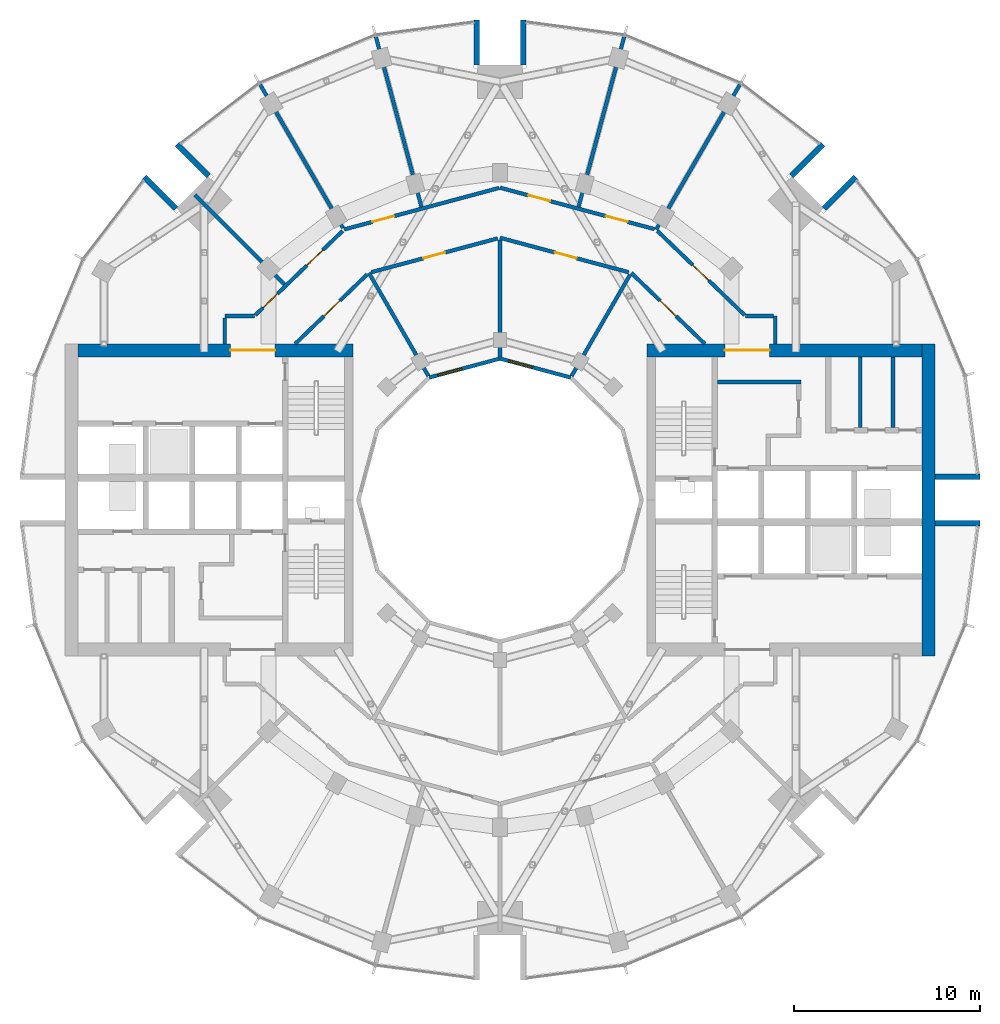
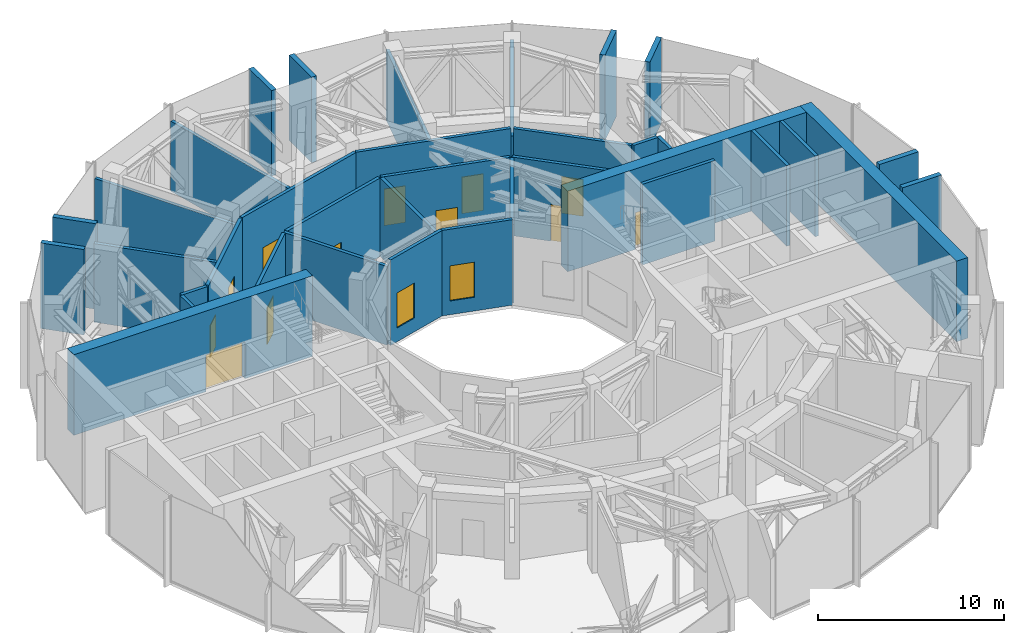
# One storey, part 15 of 18: 36 walls, 12 doors, 2 windows, 14 openings.
"""IFC4 building model written with IfcOpenShell, lengths in metres."""

import ifcopenshell
import ifcopenshell.guid

model = None  # the IFC model being written
_history = None  # IfcOwnerHistory: only IFC2X3 demands one
_inside = {}  # id of a spatial element -> (the spatial element, [elements in it])
_under = {}  # id of a project, library or spatial element -> (it, [spatial elements below it])
_declared = {}  # id of a project -> (the project, [libraries it declares])
_typed = {}  # id of a type object -> (the type object, [elements of that type])
_made_of = {}  # id of a material, layer set ... -> (it, [elements and type objects made of it])


def new_model(schema):
    """Start an empty IFC model of exactly this schema.

    Asked for "IFC4X3", IfcOpenShell would pick the latest addendum, in which some entities
    have other attributes; the version numbers below select the first issue.
    IFC2X3 requires an IfcOwnerHistory on every rooted entity: one is made here for all.
    """
    global model, _history
    if schema == "IFC4X3":
        model = ifcopenshell.file(schema_version=(4, 3, 0, 0))
    else:
        model = ifcopenshell.file(schema=schema)
    _inside.clear()
    _under.clear()
    _declared.clear()
    _typed.clear()
    _made_of.clear()
    _history = None
    if model.schema == "IFC2X3":
        org = make("IfcOrganization", Name="unknown")
        user = make(
            "IfcPersonAndOrganization",
            ThePerson=make("IfcPerson", FamilyName="unknown"),
            TheOrganization=org,
        )
        app = make(
            "IfcApplication",
            ApplicationDeveloper=org,
            Version="unknown",
            ApplicationFullName="unknown",
            ApplicationIdentifier="unknown",
        )
        _history = make(
            "IfcOwnerHistory",
            OwningUser=user,
            OwningApplication=app,
            ChangeAction="ADDED",
            CreationDate=0,
        )
    return model


def make(cls, **values):
    """One entity of the class cls with the attributes given. An attribute that is None is left unset."""
    return model.create_entity(
        cls, **{name: value for name, value in values.items() if value is not None}
    )


def rooted(cls, **values):
    """An entity with a GlobalId (a new one), such as an element, a storey or a relation."""
    return make(cls, GlobalId=ifcopenshell.guid.new(), OwnerHistory=_history, **values)


def si_unit(unit_type, name, prefix=None):
    """IfcSIUnit, for example si_unit("LENGTHUNIT", "METRE", prefix="MILLI")."""
    return make("IfcSIUnit", UnitType=unit_type, Prefix=prefix, Name=name)


def assignment(units):
    """IfcUnitAssignment: the units of a project."""
    return None if units is None else make("IfcUnitAssignment", Units=units)


def point(xyz):
    """IfcCartesianPoint."""
    return None if xyz is None else make("IfcCartesianPoint", Coordinates=xyz)


def direction(xyz):
    """IfcDirection."""
    return None if xyz is None else make("IfcDirection", DirectionRatios=xyz)


def frame(location, z_axis=None, x_axis=None):
    """IfcAxis2Placement3D, a coordinate frame: its origin and axes. An axis left out is left unset."""
    return make(
        "IfcAxis2Placement3D",
        Location=point(location),
        Axis=direction(z_axis),
        RefDirection=direction(x_axis),
    )


def frame_2d(location, x_axis=None):
    """IfcAxis2Placement2D, a coordinate frame in the plane: its origin and x axis."""
    return make(
        "IfcAxis2Placement2D", Location=point(location), RefDirection=direction(x_axis)
    )


def origin():
    """The frame at (0, 0, 0) with its axes left unset."""
    return frame((0.0, 0.0, 0.0))


def place(relative_to, where):
    """IfcLocalPlacement: puts the frame where relative to a parent placement (None: the world)."""
    return make(
        "IfcLocalPlacement", PlacementRelTo=relative_to, RelativePlacement=where
    )


def context(
    kind, dimensions, precision=None, world=None, true_north=None, identifier=None
):
    """IfcGeometricRepresentationContext, for example the 3D "Model" context."""
    return make(
        "IfcGeometricRepresentationContext",
        ContextIdentifier=identifier,
        ContextType=kind,
        CoordinateSpaceDimension=dimensions,
        Precision=precision,
        WorldCoordinateSystem=world,
        TrueNorth=true_north,
    )


def subcontext(parent, identifier, kind, view, scale=None):
    """IfcGeometricRepresentationSubContext, for example "Body" below "Model"."""
    return make(
        "IfcGeometricRepresentationSubContext",
        ContextIdentifier=identifier,
        ContextType=kind,
        ParentContext=parent,
        TargetScale=scale,
        TargetView=view,
    )


def project(units=None, contexts=None):
    """IfcProject with its units and contexts."""
    return rooted(
        "IfcProject",
        Name="project",
        RepresentationContexts=contexts,
        UnitsInContext=assignment(units),
    )


def spatial(cls, under=None, at=None, **own):
    """A site, building, storey or space (cls), placed at a placement, below another one or the project."""
    s = rooted(cls, ObjectPlacement=at, **own)
    if under is not None:
        _under.setdefault(under.id(), (under, []))[1].append(s)
    return s


def profile(cls, at=None, kind="AREA", **sizes):
    """A parametric profile (cls). Its sizes go by their IFC names, for example OverallWidth=200.0."""
    return make(cls, ProfileType=kind, Position=at, **sizes)


def rectangle(**sizes):
    """IfcRectangleProfileDef."""
    return profile("IfcRectangleProfileDef", **sizes)


def extrude(swept, where, along, depth):
    """IfcExtrudedAreaSolid: the profile swept, set in the frame where, extruded along a direction by depth."""
    return make(
        "IfcExtrudedAreaSolid",
        SweptArea=swept,
        Position=where,
        ExtrudedDirection=direction(along),
        Depth=depth,
    )


def shape(context_of_items, identifier, shape_type, items):
    """IfcShapeRepresentation: the items that make up one representation, for example the "Body"."""
    return make(
        "IfcShapeRepresentation",
        ContextOfItems=context_of_items,
        RepresentationIdentifier=identifier,
        RepresentationType=shape_type,
        Items=items,
    )


def material(Name=None, Category=None):
    """IfcMaterial."""
    return make("IfcMaterial", Name=Name, Category=Category)


def layer(
    of_material, thickness, ventilated=None, Name=None, Category=None, Priority=None
):
    """IfcMaterialLayer: one layer of a wall or slab, of a material (None: an air gap)."""
    return make(
        "IfcMaterialLayer",
        Material=of_material,
        LayerThickness=thickness,
        IsVentilated=ventilated,
        Name=Name,
        Category=Category,
        Priority=Priority,
    )


def layer_set(layers, Name=None):
    """IfcMaterialLayerSet."""
    return make("IfcMaterialLayerSet", MaterialLayers=layers, LayerSetName=Name)


def made_of(thing, what):
    """Note that an element or type object is made of a material, layer set ...; save() writes the relation."""
    if what is not None:
        _made_of.setdefault(what.id(), (what, []))[1].append(thing)
    return thing


def type_object(cls, material=None, **own):
    """A type object (cls), such as IfcWallType, which elements share."""
    return made_of(rooted(cls, **own), material)


def element(
    cls,
    number,
    at=None,
    inside=None,
    cuts=None,
    type_object=None,
    material=None,
    context=None,
    identifier="Body",
    shape_type=None,
    held_by="IfcProductDefinitionShape",
    body=None,
    shapes=None,
    **own,
):
    """One element of the class cls, such as IfcWall. Its Tag is "e" and its number.

    at: its placement. inside: the storey or other place that contains it. cuts: it is an
    opening in that element (IfcRelVoidsElement). A single representation is given by context,
    identifier, shape_type and body (its items); several are given by shapes. held_by: the class
    of the entity that holds the representations. save() writes the other relations.
    """
    e = rooted(cls, Tag="e%d" % number, ObjectPlacement=at, **own)
    if body is not None:
        shapes = [shape(context, identifier, shape_type, body)]
    if shapes is not None:
        e.Representation = make(held_by, Representations=shapes)
    if inside is not None:
        _inside.setdefault(inside.id(), (inside, []))[1].append(e)
    if cuts is not None:
        rooted(
            "IfcRelVoidsElement", RelatingBuildingElement=cuts, RelatedOpeningElement=e
        )
    if type_object is not None:
        _typed.setdefault(type_object.id(), (type_object, []))[1].append(e)
    return made_of(e, material)


def fill(opening, filler):
    """IfcRelFillsElement: the door or window that sits in an opening."""
    return rooted(
        "IfcRelFillsElement",
        RelatingOpeningElement=opening,
        RelatedBuildingElement=filler,
    )


def aggregate(whole, parts):
    """IfcRelAggregates: a whole, such as a stair, and the parts it consists of."""
    return rooted("IfcRelAggregates", RelatingObject=whole, RelatedObjects=parts)


def save(model, path):
    """Write the relations noted so far, then the file.

    IfcRelAggregates (storeys below a building ...), IfcRelContainedInSpatialStructure (elements
    in a storey), IfcRelDefinesByType, IfcRelAssociatesMaterial and IfcRelDeclares: one each for
    every whole, place, type object, material and project.
    """
    for whole, parts in _under.values():
        aggregate(whole, parts)
    for where, things in _inside.values():
        rooted(
            "IfcRelContainedInSpatialStructure",
            RelatedElements=things,
            RelatingStructure=where,
        )
    for kind, things in _typed.values():
        rooted("IfcRelDefinesByType", RelatedObjects=things, RelatingType=kind)
    for what, things in _made_of.values():
        rooted("IfcRelAssociatesMaterial", RelatedObjects=things, RelatingMaterial=what)
    for by, libraries in _declared.values():
        rooted("IfcRelDeclares", RelatingContext=by, RelatedDefinitions=libraries)
    model.write(path)


model = new_model("IFC4")

# Units and contexts
model_context = context("Model", 3, precision=1e-05, world=origin(), true_north=direction((0.0, 1.0)))
body_context = subcontext(model_context, "Body", "Model", "MODEL_VIEW")
ifc_project = project(units=[si_unit("LENGTHUNIT", "METRE"), si_unit("AREAUNIT", "SQUARE_METRE"), si_unit("VOLUMEUNIT", "CUBIC_METRE"), si_unit("PLANEANGLEUNIT", "RADIAN"), si_unit("MASSUNIT", "GRAM", prefix="KILO")], contexts=[model_context])

# Site, building, storey
site_placement = place(None, origin())
site = spatial("IfcSite", under=ifc_project, at=site_placement, CompositionType="ELEMENT")
building_placement = place(site_placement, origin())
building = spatial("IfcBuilding", under=site, at=building_placement, Name="Torre Brocal", CompositionType="ELEMENT")
storey_placement = place(building_placement, frame((0.0, 0.0, 109.0)))
storey = spatial("IfcBuildingStorey", under=building, at=storey_placement, Name="L25", CompositionType="ELEMENT", Elevation=109.0)

# Walls
ifc_material_1 = material(Name="Masonry block", Category="masonry")
ifc_layer_1 = layer(ifc_material_1, 0.199951171875)
ifc_layer_set_1 = layer_set([ifc_layer_1], Name="Masonry block")
wall_type_1 = type_object("IfcWallType", Name="CORE PARTITION 200", PredefinedType="PARTITIONING", material=ifc_layer_set_1)
for number, where, z_axis, x_axis, name in (
    (1, (99.367919921875, 78.89990234375, 0.0), (0.0, 0.0, 1.0), (0.0, 1.0, 0.0), "Wall CP200"),
    (2, (101.132080078125, 78.89990234375, 0.0), (0.0, 0.0, 1.0), (0.0, 1.0, 0.0), "Wall CP200"),
):
    element("IfcWall", number, at=place(storey_placement, frame(where, z_axis=z_axis, x_axis=x_axis)), inside=storey, type_object=wall_type_1, Name=name, PredefinedType="PARTITIONING", context=body_context, shape_type="SweptSolid", body=[
        extrude(rectangle(XDim=3.800048828125, YDim=0.199951171875, at=frame_2d((1.89990234375, 0.0))), origin(), (0.0, 0.0, 1.0), 5.280029296875),
    ])
ifc_material_2 = material(Name="Concrete C70", Category="concrete")
ifc_layer_2 = layer(ifc_material_2, 0.199951171875)
ifc_layer_set_2 = layer_set([ifc_layer_2], Name="Concrete C70")
wall_type_2 = type_object("IfcWallType", Name="CORE WALL 200 C70", PredefinedType="SHEAR", material=ifc_layer_set_2)
wall_1_placement = place(storey_placement, frame((91.699951171875, 81.35009765625, 0.0), z_axis=(0.0, 0.0, 1.0), x_axis=(1.0, 0.0, 0.0)))
element("IfcWall", 3, at=wall_1_placement, inside=storey, type_object=wall_type_2, Name="Wall CW200-70", PredefinedType="SHEAR", context=body_context, shape_type="SweptSolid", body=[
    extrude(rectangle(XDim=4.5, YDim=0.199951171875, at=frame_2d((2.25, 0.0))), origin(), (0.0, 0.0, 1.0), 5.280029296875),
])

# Wall, opening, door
ifc_material_3 = material(Name="Concrete C70", Category="concrete")
ifc_layer_3 = layer(ifc_material_3, 0.699951171875)
ifc_layer_set_3 = layer_set([ifc_layer_3], Name="Concrete C70")
wall_type_3 = type_object("IfcWallType", Name="CORE WALL 700 C70", PredefinedType="SHEAR", material=ifc_layer_set_3)
wall_2_placement = place(storey_placement, frame((87.89990234375, 83.050048828125, 0.0), z_axis=(0.0, 0.0, 1.0), x_axis=(1.0, 0.0, 0.0)))
wall_2 = element("IfcWall", 4, at=wall_2_placement, inside=storey, type_object=wall_type_3, Name="Wall CW700-70", PredefinedType="SHEAR", context=body_context, shape_type="SweptSolid", body=[
    extrude(rectangle(XDim=14.800048828125, YDim=0.699951171875, at=frame_2d((7.39990234375, 0.0))), origin(), (0.0, 0.0, 1.0), 5.280029296875),
])
opening_1_placement = place(wall_2_placement, frame((4.199951171875, 0.0, 0.0)))
opening_1 = element("IfcOpeningElement", 5, at=opening_1_placement, cuts=wall_2, Name="Opening E-D27", PredefinedType="OPENING", context=body_context, shape_type="SweptSolid", body=[
    extrude(rectangle(XDim=2.39990234375, YDim=2.39990234375, at=frame_2d((1.199951171875, 1.199951171875))), frame((0.0, 0.35986328125, 0.0), z_axis=(0.0, -1.0, 0.0), x_axis=(1.0, 0.0, 0.0)), (0.0, 0.0, 1.0), 0.719970703125),
])
ifc_material_4 = material(Name="Steel A653", Category="steel")
door_type_1 = type_object("IfcDoorType", Name="DOUBLE FIRE DOOR FD90 2400X2400", OperationType="DOUBLE_DOOR_SINGLE_SWING", PredefinedType="DOOR", material=ifc_material_4)
door_1_placement = place(opening_1_placement, frame((2.39990234375, 0.0, 0.0), z_axis=(0.0, 0.0, 1.0), x_axis=(-1.0, 0.0, 0.0)))
door_1 = element("IfcDoor", 6, at=door_1_placement, inside=storey, type_object=door_type_1, Name="Door E-D27", OperationType="DOUBLE_DOOR_SINGLE_SWING", OverallHeight=2.39990234375, OverallWidth=2.39990234375, PredefinedType="DOOR", context=body_context, shape_type="SweptSolid", body=[
    extrude(rectangle(XDim=2.39990234375, YDim=2.39990234375, at=frame_2d((1.199951171875, 1.199951171875))), frame((0.0, 0.02490234375, 0.0), z_axis=(0.0, -1.0, 0.0), x_axis=(1.0, 0.0, 0.0)), (0.0, 0.0, 1.0), 0.050048828125),
])
fill(opening_1, door_1)

# Wall
wall_3_placement = place(storey_placement, frame((103.050048828125, 66.60009765625, 0.0), z_axis=(0.0, 0.0, 1.0), x_axis=(0.0, 1.0, 0.0)))
element("IfcWall", 7, at=wall_3_placement, inside=storey, type_object=wall_type_3, Name="Wall CW700-70", PredefinedType="SHEAR", context=body_context, shape_type="SweptSolid", body=[
    extrude(rectangle(XDim=16.7998046875, YDim=0.699951171875, at=frame_2d((8.39990234375, 0.0))), origin(), (0.0, 0.0, 1.0), 5.280029296875),
])

# Wall, opening, door
wall_4_placement = place(storey_placement, frame((72.10009765625, 83.050048828125, 0.0), z_axis=(0.0, 0.0, 1.0), x_axis=(-1.0, 0.0, 0.0)))
wall_4 = element("IfcWall", 8, at=wall_4_placement, inside=storey, type_object=wall_type_3, Name="Wall CW700-70", PredefinedType="SHEAR", context=body_context, shape_type="SweptSolid", body=[
    extrude(rectangle(XDim=14.800048828125, YDim=0.699951171875, at=frame_2d((7.39990234375, 0.0))), origin(), (0.0, 0.0, 1.0), 5.280029296875),
])
opening_2_placement = place(wall_4_placement, frame((4.199951171875, 0.0, 0.0)))
opening_2 = element("IfcOpeningElement", 9, at=opening_2_placement, cuts=wall_4, Name="Opening W-D30", PredefinedType="OPENING", context=body_context, shape_type="SweptSolid", body=[
    extrude(rectangle(XDim=2.39990234375, YDim=2.39990234375, at=frame_2d((1.199951171875, 1.199951171875))), frame((0.0, 0.35986328125, 0.0), z_axis=(0.0, -1.0, 0.0), x_axis=(1.0, 0.0, 0.0)), (0.0, 0.0, 1.0), 0.719970703125),
])
door_2_placement = place(opening_2_placement, origin())
door_2 = element("IfcDoor", 10, at=door_2_placement, inside=storey, type_object=door_type_1, Name="Door W-D30", OperationType="DOUBLE_DOOR_SINGLE_SWING", OverallHeight=2.39990234375, OverallWidth=2.39990234375, PredefinedType="DOOR", context=body_context, shape_type="SweptSolid", body=[
    extrude(rectangle(XDim=2.39990234375, YDim=2.39990234375, at=frame_2d((1.199951171875, 1.199951171875))), frame((0.0, 0.02490234375, 0.0), z_axis=(0.0, -1.0, 0.0), x_axis=(1.0, 0.0, 0.0)), (0.0, 0.0, 1.0), 0.050048828125),
])
fill(opening_2, door_2)

# Walls
ifc_material_5 = material(Name="Concrete C70", Category="concrete")
ifc_layer_4 = layer(ifc_material_5, 0.300048828125)
ifc_layer_set_4 = layer_set([ifc_layer_4], Name="Concrete C70")
wall_type_4 = type_object("IfcWallType", Name="NOTCH RETURN WALL 300 C70", PredefinedType="NOTDEFINED", material=ifc_layer_set_4)
for number, where, z_axis, x_axis, name in (
    (11, (103.39990234375, 73.75, 0.0), (0.0, 0.0, 1.0), (1.0, 0.0, 0.0), "NOTCH RETURN WALL"),
    (12, (103.39990234375, 76.25, 0.0), (0.0, 0.0, 1.0), (1.0, 0.0, 0.0), "NOTCH RETURN WALL"),
    (13, (97.43017578125, 90.662353515625, 0.0), (0.0, 0.0, 1.0), (0.707106781187, 0.707106781187, 0.0), "NOTCH RETURN WALL"),
    (14, (95.662353515625, 92.43017578125, 0.0), (0.0, 0.0, 1.0), (0.707106781187, 0.707106781187, 0.0), "NOTCH RETURN WALL"),
    (15, (81.25, 98.39990234375, 0.0), (0.0, 0.0, 1.0), (0.0, 1.0, 0.0), "NOTCH RETURN WALL"),
    (16, (78.75, 98.39990234375, 0.0), (0.0, 0.0, 1.0), (0.0, 1.0, 0.0), "NOTCH RETURN WALL"),
    (17, (64.337646484375, 92.43017578125, 0.0), (0.0, 0.0, 1.0), (-0.707106781187, 0.707106781187, 0.0), "NOTCH RETURN WALL"),
    (18, (62.56982421875, 90.662353515625, 0.0), (0.0, 0.0, 1.0), (-0.707106781187, 0.707106781187, 0.0), "NOTCH RETURN WALL"),
):
    element("IfcWall", number, at=place(storey_placement, frame(where, z_axis=z_axis, x_axis=x_axis)), inside=storey, type_object=wall_type_4, Name=name, PredefinedType="NOTDEFINED", context=body_context, shape_type="SweptSolid", body=[
        extrude(rectangle(XDim=2.415771484375, YDim=0.300048828125, at=frame_2d((1.2080078125, 0.0))), origin(), (0.0, 0.0, 1.0), 5.60009765625),
    ])
ifc_material_6 = material(Name="Masonry block", Category="masonry")
ifc_layer_5 = layer(ifc_material_6, 0.199951171875)
ifc_layer_set_5 = layer_set([ifc_layer_5], Name="Masonry block")
wall_type_5 = type_object("IfcWallType", Name="PARTITION 200 EI120", PredefinedType="PARTITIONING", material=ifc_layer_set_5)
wall_5_placement = place(storey_placement, frame((63.5966796875, 91.406494140625, 0.0), z_axis=(0.0, 0.0, 1.0), x_axis=(0.707035026478, -0.707178528614, 0.0)))
element("IfcWall", 19, at=wall_5_placement, inside=storey, type_object=wall_type_5, Name="PLANT ROOM WALL", PredefinedType="PARTITIONING", context=body_context, shape_type="SweptSolid", body=[
    extrude(rectangle(XDim=6.80517578125, YDim=0.199951171875, at=frame_2d((3.402587890625, 0.0))), origin(), (0.0, 0.0, 1.0), 5.14990234375),
])

# Wall, openings, doors
wall_6_placement = place(storey_placement, frame((66.839599609375, 84.941162109375, 0.0), z_axis=(0.0, 0.0, 1.0), x_axis=(0.719566481028, 0.694423559062, 0.0)))
wall_6 = element("IfcWall", 20, at=wall_6_placement, inside=storey, type_object=wall_type_5, Name="PLANT ROOM WALL", PredefinedType="PARTITIONING", context=body_context, shape_type="SweptSolid", body=[
    extrude(rectangle(XDim=6.525146484375, YDim=0.199951171875, at=frame_2d((3.2626953125, 0.0))), origin(), (0.0, 0.0, 1.0), 5.14990234375),
])
opening_3_placement = place(wall_6_placement, frame((3.84619140625, 0.0, 0.0)))
opening_3 = element("IfcOpeningElement", 21, at=opening_3_placement, cuts=wall_6, Name="Opening X1-D05", PredefinedType="OPENING", context=body_context, shape_type="SweptSolid", body=[
    extrude(rectangle(XDim=1.199951171875, YDim=2.39990234375, at=frame_2d((0.60009765625, 1.199951171875))), frame((0.0, 0.10986328125, 0.0), z_axis=(0.0, -1.0, 0.0), x_axis=(1.0, 0.0, 0.0)), (0.0, 0.0, 1.0), 0.219970703125),
])
opening_4_placement = place(wall_6_placement, frame((0.568115234375, 0.0, 0.0)))
opening_4 = element("IfcOpeningElement", 22, at=opening_4_placement, cuts=wall_6, Name="Opening X1-D06", PredefinedType="OPENING", context=body_context, shape_type="SweptSolid", body=[
    extrude(rectangle(XDim=1.10009765625, YDim=2.10009765625, at=frame_2d((0.550048828125, 1.050048828125))), frame((0.0, 0.10986328125, 0.0), z_axis=(0.0, -1.0, 0.0), x_axis=(1.0, 0.0, 0.0)), (0.0, 0.0, 1.0), 0.219970703125),
])
ifc_material_7 = material(Name="Steel A653", Category="steel")
door_type_2 = type_object("IfcDoorType", Name="PLANT DOOR FD90 1200X2400", OperationType="SINGLE_SWING_RIGHT", PredefinedType="DOOR", material=ifc_material_7)
door_3_placement = place(opening_3_placement, origin())
door_3 = element("IfcDoor", 23, at=door_3_placement, inside=storey, type_object=door_type_2, Name="X1-D05", OperationType="SINGLE_SWING_LEFT", OverallHeight=2.39990234375, OverallWidth=1.199951171875, PredefinedType="DOOR", context=body_context, shape_type="SweptSolid", body=[
    extrude(rectangle(XDim=1.199951171875, YDim=2.39990234375, at=frame_2d((0.60009765625, 1.199951171875))), frame((0.0, 0.02490234375, 0.0), z_axis=(0.0, -1.0, 0.0), x_axis=(1.0, 0.0, 0.0)), (0.0, 0.0, 1.0), 0.050048828125),
])
fill(opening_3, door_3)
ifc_material_8 = material(Name="Steel A653", Category="steel")
door_type_3 = type_object("IfcDoorType", Name="REFUGE DOOR FD90 1100X2100", OperationType="SINGLE_SWING_RIGHT", PredefinedType="DOOR", material=ifc_material_8)
door_4_placement = place(opening_4_placement, origin())
door_4 = element("IfcDoor", 24, at=door_4_placement, inside=storey, type_object=door_type_3, Name="X1-D06", OperationType="SINGLE_SWING_RIGHT", OverallHeight=2.10009765625, OverallWidth=1.10009765625, PredefinedType="DOOR", context=body_context, shape_type="SweptSolid", body=[
    extrude(rectangle(XDim=1.10009765625, YDim=2.10009765625, at=frame_2d((0.550048828125, 1.050048828125))), frame((0.0, 0.02490234375, 0.0), z_axis=(0.0, -1.0, 0.0), x_axis=(1.0, 0.0, 0.0)), (0.0, 0.0, 1.0), 0.050048828125),
])
fill(opening_4, door_4)

# Wall, opening, door
wall_7_placement = place(storey_placement, frame((68.987060546875, 83.39990234375, 0.0), z_axis=(0.0, 0.0, 1.0), x_axis=(0.719547721855, 0.694442996922, 0.0)))
wall_7 = element("IfcWall", 25, at=wall_7_placement, inside=storey, type_object=wall_type_5, Name="PLANT ROOM WALL", PredefinedType="PARTITIONING", context=body_context, shape_type="SweptSolid", body=[
    extrude(rectangle(XDim=5.3779296875, YDim=0.199951171875, at=frame_2d((2.68896484375, 0.0))), origin(), (0.0, 0.0, 1.0), 5.14990234375),
])
opening_5_placement = place(wall_7_placement, frame((2.14404296875, 0.0, 0.0)))
opening_5 = element("IfcOpeningElement", 26, at=opening_5_placement, cuts=wall_7, Name="Opening X1-D10", PredefinedType="OPENING", context=body_context, shape_type="SweptSolid", body=[
    extrude(rectangle(XDim=1.199951171875, YDim=2.39990234375, at=frame_2d((0.60009765625, 1.199951171875))), frame((0.0, 0.10986328125, 0.0), z_axis=(0.0, -1.0, 0.0), x_axis=(1.0, 0.0, 0.0)), (0.0, 0.0, 1.0), 0.219970703125),
])
door_5_placement = place(opening_5_placement, frame((1.199951171875, 0.0, 0.0), z_axis=(0.0, 0.0, 1.0), x_axis=(-1.0, 0.0, 0.0)))
door_5 = element("IfcDoor", 27, at=door_5_placement, inside=storey, type_object=door_type_2, Name="X1-D10", OperationType="SINGLE_SWING_RIGHT", OverallHeight=2.39990234375, OverallWidth=1.199951171875, PredefinedType="DOOR", context=body_context, shape_type="SweptSolid", body=[
    extrude(rectangle(XDim=1.199951171875, YDim=2.39990234375, at=frame_2d((0.60009765625, 1.199951171875))), frame((0.0, 0.02490234375, 0.0), z_axis=(0.0, -1.0, 0.0), x_axis=(1.0, 0.0, 0.0)), (0.0, 0.0, 1.0), 0.050048828125),
])
fill(opening_5, door_5)

wall_8_placement = place(storey_placement, frame((71.614013671875, 89.549072265625, 0.0), z_axis=(0.0, 0.0, 1.0), x_axis=(0.965931008246, 0.258799705, 0.0)))
wall_8 = element("IfcWall", 28, at=wall_8_placement, inside=storey, type_object=wall_type_5, Name="PLANT ROOM WALL", PredefinedType="PARTITIONING", context=body_context, shape_type="SweptSolid", body=[
    extrude(rectangle(XDim=8.6318359375, YDim=0.199951171875, at=frame_2d((4.31591796875, 0.0))), origin(), (0.0, 0.0, 1.0), 5.14990234375),
])
opening_6_placement = place(wall_8_placement, frame((1.5771484375, 0.0, 0.0)))
opening_6 = element("IfcOpeningElement", 29, at=opening_6_placement, cuts=wall_8, Name="Opening X1-D04", PredefinedType="OPENING", context=body_context, shape_type="SweptSolid", body=[
    extrude(rectangle(XDim=1.199951171875, YDim=2.39990234375, at=frame_2d((0.60009765625, 1.199951171875))), frame((0.0, 0.10986328125, 0.0), z_axis=(0.0, -1.0, 0.0), x_axis=(1.0, 0.0, 0.0)), (0.0, 0.0, 1.0), 0.219970703125),
])
door_6_placement = place(opening_6_placement, origin())
door_6 = element("IfcDoor", 30, at=door_6_placement, inside=storey, type_object=door_type_2, Name="X1-D04", OperationType="SINGLE_SWING_RIGHT", OverallHeight=2.39990234375, OverallWidth=1.199951171875, PredefinedType="DOOR", context=body_context, shape_type="SweptSolid", body=[
    extrude(rectangle(XDim=1.199951171875, YDim=2.39990234375, at=frame_2d((0.60009765625, 1.199951171875))), frame((0.0, 0.02490234375, 0.0), z_axis=(0.0, -1.0, 0.0), x_axis=(1.0, 0.0, 0.0)), (0.0, 0.0, 1.0), 0.050048828125),
])
fill(opening_6, door_6)

wall_9_placement = place(storey_placement, frame((73.0712890625, 87.2470703125, 0.0), z_axis=(0.0, 0.0, 1.0), x_axis=(0.965914318977, 0.258861987157, 0.0)))
wall_9 = element("IfcWall", 31, at=wall_9_placement, inside=storey, type_object=wall_type_5, Name="PLANT ROOM WALL", PredefinedType="PARTITIONING", context=body_context, shape_type="SweptSolid", body=[
    extrude(rectangle(XDim=7.043212890625, YDim=0.199951171875, at=frame_2d((3.521484375, 0.0))), origin(), (0.0, 0.0, 1.0), 5.14990234375),
])
opening_7_placement = place(wall_9_placement, frame((2.91650390625, 0.0, 0.0)))
opening_7 = element("IfcOpeningElement", 32, at=opening_7_placement, cuts=wall_9, Name="Opening X1-D09", PredefinedType="OPENING", context=body_context, shape_type="SweptSolid", body=[
    extrude(rectangle(XDim=1.199951171875, YDim=2.39990234375, at=frame_2d((0.60009765625, 1.199951171875))), frame((0.0, 0.10986328125, 0.0), z_axis=(0.0, -1.0, 0.0), x_axis=(1.0, 0.0, 0.0)), (0.0, 0.0, 1.0), 0.219970703125),
])
door_7_placement = place(opening_7_placement, frame((1.199951171875, 0.0, 0.0), z_axis=(0.0, 0.0, 1.0), x_axis=(-1.0, 0.0, 0.0)))
door_7 = element("IfcDoor", 33, at=door_7_placement, inside=storey, type_object=door_type_2, Name="X1-D09", OperationType="SINGLE_SWING_RIGHT", OverallHeight=2.39990234375, OverallWidth=1.199951171875, PredefinedType="DOOR", context=body_context, shape_type="SweptSolid", body=[
    extrude(rectangle(XDim=1.199951171875, YDim=2.39990234375, at=frame_2d((0.60009765625, 1.199951171875))), frame((0.0, 0.02490234375, 0.0), z_axis=(0.0, -1.0, 0.0), x_axis=(1.0, 0.0, 0.0)), (0.0, 0.0, 1.0), 0.050048828125),
])
fill(opening_7, door_7)

# Walls
wall_10_placement = place(storey_placement, frame((72.9482421875, 87.214111328125, 0.0), z_axis=(0.0, 0.0, 1.0), x_axis=(0.500000701339, -0.866024998866, 0.0)))
element("IfcWall", 34, at=wall_10_placement, inside=storey, type_object=wall_type_5, Name="PLANT ROOM WALL", PredefinedType="PARTITIONING", context=body_context, shape_type="SweptSolid", body=[
    extrude(rectangle(XDim=6.4052734375, YDim=0.199951171875, at=frame_2d((3.20263671875, 0.0))), origin(), (0.0, 0.0, 1.0), 5.14990234375),
])
wall_11_placement = place(storey_placement, frame((80.0, 82.698974609375, 0.0), z_axis=(0.0, 0.0, 1.0), x_axis=(0.0, 1.0, 0.0)))
element("IfcWall", 35, at=wall_11_placement, inside=storey, type_object=wall_type_5, Name="PLANT ROOM WALL", PredefinedType="PARTITIONING", context=body_context, shape_type="SweptSolid", body=[
    extrude(rectangle(XDim=6.275146484375, YDim=0.199951171875, at=frame_2d((3.1376953125, 0.0))), origin(), (0.0, 0.0, 1.0), 5.14990234375),
])

# Wall, opening, door
wall_12_placement = place(storey_placement, frame((80.0, 89.10400390625, 0.0), z_axis=(0.0, 0.0, 1.0), x_axis=(0.965912194639, -0.258869913757, 0.0)))
wall_12 = element("IfcWall", 36, at=wall_12_placement, inside=storey, type_object=wall_type_5, Name="PLANT ROOM WALL", PredefinedType="PARTITIONING", context=body_context, shape_type="SweptSolid", body=[
    extrude(rectangle(XDim=7.17333984375, YDim=0.199951171875, at=frame_2d((3.586669921875, 0.0))), origin(), (0.0, 0.0, 1.0), 5.14990234375),
])
opening_8_placement = place(wall_12_placement, frame((3.056640625, 0.0, 0.0)))
opening_8 = element("IfcOpeningElement", 37, at=opening_8_placement, cuts=wall_12, Name="Opening X1-D08", PredefinedType="OPENING", context=body_context, shape_type="SweptSolid", body=[
    extrude(rectangle(XDim=1.199951171875, YDim=2.39990234375, at=frame_2d((0.60009765625, 1.199951171875))), frame((0.0, 0.10986328125, 0.0), z_axis=(0.0, -1.0, 0.0), x_axis=(1.0, 0.0, 0.0)), (0.0, 0.0, 1.0), 0.219970703125),
])
door_8_placement = place(opening_8_placement, frame((1.199951171875, 0.0, 0.0), z_axis=(0.0, 0.0, 1.0), x_axis=(-1.0, 0.0, 0.0)))
door_8 = element("IfcDoor", 38, at=door_8_placement, inside=storey, type_object=door_type_2, Name="X1-D08", OperationType="SINGLE_SWING_LEFT", OverallHeight=2.39990234375, OverallWidth=1.199951171875, PredefinedType="DOOR", context=body_context, shape_type="SweptSolid", body=[
    extrude(rectangle(XDim=1.199951171875, YDim=2.39990234375, at=frame_2d((0.60009765625, 1.199951171875))), frame((0.0, 0.02490234375, 0.0), z_axis=(0.0, -1.0, 0.0), x_axis=(1.0, 0.0, 0.0)), (0.0, 0.0, 1.0), 0.050048828125),
])
fill(opening_8, door_8)

# Wall, openings, doors
wall_13_placement = place(storey_placement, frame((80.0, 91.796142578125, 0.0), z_axis=(0.0, 0.0, 1.0), x_axis=(0.965917643923, -0.258849580177, 0.0)))
wall_13 = element("IfcWall", 39, at=wall_13_placement, inside=storey, type_object=wall_type_5, Name="PLANT ROOM WALL", PredefinedType="PARTITIONING", context=body_context, shape_type="SweptSolid", body=[
    extrude(rectangle(XDim=8.601806640625, YDim=0.199951171875, at=frame_2d((4.30078125, 0.0))), origin(), (0.0, 0.0, 1.0), 5.14990234375),
])
opening_9_placement = place(wall_13_placement, frame((5.904541015625, 0.0, 0.0)))
opening_9 = element("IfcOpeningElement", 40, at=opening_9_placement, cuts=wall_13, Name="Opening X1-D02", PredefinedType="OPENING", context=body_context, shape_type="SweptSolid", body=[
    extrude(rectangle(XDim=1.199951171875, YDim=2.39990234375, at=frame_2d((0.60009765625, 1.199951171875))), frame((0.0, 0.10986328125, 0.0), z_axis=(0.0, -1.0, 0.0), x_axis=(1.0, 0.0, 0.0)), (0.0, 0.0, 1.0), 0.219970703125),
])
opening_10_placement = place(wall_13_placement, frame((1.58349609375, 0.0, 0.0)))
opening_10 = element("IfcOpeningElement", 41, at=opening_10_placement, cuts=wall_13, Name="Opening X1-D03", PredefinedType="OPENING", context=body_context, shape_type="SweptSolid", body=[
    extrude(rectangle(XDim=1.199951171875, YDim=2.39990234375, at=frame_2d((0.60009765625, 1.199951171875))), frame((0.0, 0.10986328125, 0.0), z_axis=(0.0, -1.0, 0.0), x_axis=(1.0, 0.0, 0.0)), (0.0, 0.0, 1.0), 0.219970703125),
])
door_9_placement = place(opening_9_placement, origin())
door_9 = element("IfcDoor", 42, at=door_9_placement, inside=storey, type_object=door_type_2, Name="X1-D02", OperationType="SINGLE_SWING_LEFT", OverallHeight=2.39990234375, OverallWidth=1.199951171875, PredefinedType="DOOR", context=body_context, shape_type="SweptSolid", body=[
    extrude(rectangle(XDim=1.199951171875, YDim=2.39990234375, at=frame_2d((0.60009765625, 1.199951171875))), frame((0.0, 0.02490234375, 0.0), z_axis=(0.0, -1.0, 0.0), x_axis=(1.0, 0.0, 0.0)), (0.0, 0.0, 1.0), 0.050048828125),
])
fill(opening_9, door_9)
door_10_placement = place(opening_10_placement, origin())
door_10 = element("IfcDoor", 43, at=door_10_placement, inside=storey, type_object=door_type_2, Name="X1-D03", OperationType="SINGLE_SWING_RIGHT", OverallHeight=2.39990234375, OverallWidth=1.199951171875, PredefinedType="DOOR", context=body_context, shape_type="SweptSolid", body=[
    extrude(rectangle(XDim=1.199951171875, YDim=2.39990234375, at=frame_2d((0.60009765625, 1.199951171875))), frame((0.0, 0.02490234375, 0.0), z_axis=(0.0, -1.0, 0.0), x_axis=(1.0, 0.0, 0.0)), (0.0, 0.0, 1.0), 0.050048828125),
])
fill(opening_10, door_10)

# Wall
wall_14_placement = place(storey_placement, frame((83.84912109375, 81.6669921875, 0.0), z_axis=(0.0, 0.0, 1.0), x_axis=(0.500074377092, 0.865982457891, 0.0)))
element("IfcWall", 44, at=wall_14_placement, inside=storey, type_object=wall_type_5, Name="PLANT ROOM WALL", PredefinedType="PARTITIONING", context=body_context, shape_type="SweptSolid", body=[
    extrude(rectangle(XDim=6.28515625, YDim=0.199951171875, at=frame_2d((3.142578125, 0.0))), origin(), (0.0, 0.0, 1.0), 5.14990234375),
])

# Wall, opening, door
wall_15_placement = place(storey_placement, frame((87.06396484375, 87.2109375, 0.0), z_axis=(0.0, 0.0, 1.0), x_axis=(0.719562412484, -0.694427774891, 0.0)))
wall_15 = element("IfcWall", 45, at=wall_15_placement, inside=storey, type_object=wall_type_5, Name="PLANT ROOM WALL", PredefinedType="PARTITIONING", context=body_context, shape_type="SweptSolid", body=[
    extrude(rectangle(XDim=5.488037109375, YDim=0.199951171875, at=frame_2d((2.744140625, 0.0))), origin(), (0.0, 0.0, 1.0), 5.14990234375),
])
opening_11_placement = place(wall_15_placement, frame((2.14404296875, 0.0, 0.0)))
opening_11 = element("IfcOpeningElement", 46, at=opening_11_placement, cuts=wall_15, Name="Opening X1-D07", PredefinedType="OPENING", context=body_context, shape_type="SweptSolid", body=[
    extrude(rectangle(XDim=1.199951171875, YDim=2.39990234375, at=frame_2d((0.60009765625, 1.199951171875))), frame((0.0, 0.10986328125, 0.0), z_axis=(0.0, -1.0, 0.0), x_axis=(1.0, 0.0, 0.0)), (0.0, 0.0, 1.0), 0.219970703125),
])
door_11_placement = place(opening_11_placement, frame((1.199951171875, 0.0, 0.0), z_axis=(0.0, 0.0, 1.0), x_axis=(-1.0, 0.0, 0.0)))
door_11 = element("IfcDoor", 47, at=door_11_placement, inside=storey, type_object=door_type_2, Name="X1-D07", OperationType="SINGLE_SWING_LEFT", OverallHeight=2.39990234375, OverallWidth=1.199951171875, PredefinedType="DOOR", context=body_context, shape_type="SweptSolid", body=[
    extrude(rectangle(XDim=1.199951171875, YDim=2.39990234375, at=frame_2d((0.60009765625, 1.199951171875))), frame((0.0, 0.02490234375, 0.0), z_axis=(0.0, -1.0, 0.0), x_axis=(1.0, 0.0, 0.0)), (0.0, 0.0, 1.0), 0.050048828125),
])
fill(opening_11, door_11)

wall_16_placement = place(storey_placement, frame((88.465576171875, 89.472900390625, 0.0), z_axis=(0.0, 0.0, 1.0), x_axis=(0.719419511771, -0.694575817376, 0.0)))
wall_16 = element("IfcWall", 48, at=wall_16_placement, inside=storey, type_object=wall_type_5, Name="PLANT ROOM WALL", PredefinedType="PARTITIONING", context=body_context, shape_type="SweptSolid", body=[
    extrude(rectangle(XDim=6.525146484375, YDim=0.199951171875, at=frame_2d((3.2626953125, 0.0))), origin(), (0.0, 0.0, 1.0), 5.14990234375),
])
opening_12_placement = place(wall_16_placement, frame((2.63720703125, 0.0, 0.0)))
opening_12 = element("IfcOpeningElement", 49, at=opening_12_placement, cuts=wall_16, Name="Opening X1-D01", PredefinedType="OPENING", context=body_context, shape_type="SweptSolid", body=[
    extrude(rectangle(XDim=1.199951171875, YDim=2.39990234375, at=frame_2d((0.60009765625, 1.199951171875))), frame((0.0, 0.10986328125, 0.0), z_axis=(0.0, -1.0, 0.0), x_axis=(1.0, 0.0, 0.0)), (0.0, 0.0, 1.0), 0.219970703125),
])
door_12_placement = place(opening_12_placement, origin())
door_12 = element("IfcDoor", 50, at=door_12_placement, inside=storey, type_object=door_type_2, Name="X1-D01", OperationType="SINGLE_SWING_LEFT", OverallHeight=2.39990234375, OverallWidth=1.199951171875, PredefinedType="DOOR", context=body_context, shape_type="SweptSolid", body=[
    extrude(rectangle(XDim=1.199951171875, YDim=2.39990234375, at=frame_2d((0.60009765625, 1.199951171875))), frame((0.0, 0.02490234375, 0.0), z_axis=(0.0, -1.0, 0.0), x_axis=(1.0, 0.0, 0.0)), (0.0, 0.0, 1.0), 0.050048828125),
])
fill(opening_12, door_12)

# Walls
wall_17_placement = place(storey_placement, frame((93.2041015625, 84.89990234375, 0.0), z_axis=(0.0, 0.0, 1.0), x_axis=(1.0, 0.0, 0.0)))
element("IfcWall", 51, at=wall_17_placement, inside=storey, type_object=wall_type_5, Name="PLANT ROOM WALL", PredefinedType="PARTITIONING", context=body_context, shape_type="SweptSolid", body=[
    extrude(rectangle(XDim=1.495849609375, YDim=0.199951171875, at=frame_2d((0.748046875, 0.0))), origin(), (0.0, 0.0, 1.0), 5.14990234375),
])
wall_18_placement = place(storey_placement, frame((94.800048828125, 83.40087890625, 0.0), z_axis=(0.0, 0.0, 1.0), x_axis=(0.0, 1.0, 0.0)))
element("IfcWall", 52, at=wall_18_placement, inside=storey, type_object=wall_type_5, Name="PLANT ROOM WALL", PredefinedType="PARTITIONING", context=body_context, shape_type="SweptSolid", body=[
    extrude(rectangle(XDim=1.4990234375, YDim=0.199951171875, at=frame_2d((0.74951171875, 0.0))), origin(), (0.0, 0.0, 1.0), 5.14990234375),
])
ifc_material_9 = material(Name="Masonry block", Category="masonry")
ifc_layer_6 = layer(ifc_material_9, 0.199951171875)
ifc_layer_set_6 = layer_set([ifc_layer_6], Name="Masonry block")
wall_type_6 = type_object("IfcWallType", Name="PARTITION 200 EI120 UNDER BEAM 1014", PredefinedType="PARTITIONING", material=ifc_layer_set_6)
wall_19_placement = place(storey_placement, frame((67.1015625, 97.341552734375, 0.0), z_axis=(0.0, 0.0, 1.0), x_axis=(0.499997660635, -0.866026754413, 0.0)))
element("IfcWall", 53, at=wall_19_placement, inside=storey, type_object=wall_type_6, Name="PLANT ROOM WALL", PredefinedType="PARTITIONING", context=body_context, shape_type="SweptSolid", body=[
    extrude(rectangle(XDim=8.90771484375, YDim=0.199951171875, at=frame_2d((4.453857421875, 0.0))), origin(), (0.0, 0.0, 1.0), 4.5859375),
])
wall_20_placement = place(storey_placement, frame((73.3232421875, 99.918212890625, 0.0), z_axis=(0.0, 0.0, 1.0), x_axis=(0.258818956582, -0.965925850008, 0.0)))
element("IfcWall", 54, at=wall_20_placement, inside=storey, type_object=wall_type_6, Name="PLANT ROOM WALL", PredefinedType="PARTITIONING", context=body_context, shape_type="SweptSolid", body=[
    extrude(rectangle(XDim=9.473388671875, YDim=0.199951171875, at=frame_2d((4.73681640625, 0.0))), origin(), (0.0, 0.0, 1.0), 4.5859375),
])
wall_21_placement = place(storey_placement, frame((84.226318359375, 90.76708984375, 0.0), z_axis=(0.0, 0.0, 1.0), x_axis=(0.258915131717, 0.965900074836, 0.0)))
element("IfcWall", 55, at=wall_21_placement, inside=storey, type_object=wall_type_6, Name="PLANT ROOM WALL", PredefinedType="PARTITIONING", context=body_context, shape_type="SweptSolid", body=[
    extrude(rectangle(XDim=9.4736328125, YDim=0.199951171875, at=frame_2d((4.73681640625, 0.0))), origin(), (0.0, 0.0, 1.0), 4.5859375),
])
wall_22_placement = place(storey_placement, frame((88.395751953125, 89.540283203125, 0.0), z_axis=(0.0, 0.0, 1.0), x_axis=(0.500080676104, 0.865978820404, 0.0)))
element("IfcWall", 56, at=wall_22_placement, inside=storey, type_object=wall_type_6, Name="PLANT ROOM WALL", PredefinedType="PARTITIONING", context=body_context, shape_type="SweptSolid", body=[
    extrude(rectangle(XDim=9.00634765625, YDim=0.199951171875, at=frame_2d((4.503173828125, 0.0))), origin(), (0.0, 0.0, 1.0), 4.5859375),
])
ifc_material_10 = material(Name="Gypsum board", Category="Gypsum")
ifc_layer_7 = layer(ifc_material_10, 0.199951171875)
ifc_layer_set_7 = layer_set([ifc_layer_7], Name="Gypsum board")
wall_type_7 = type_object("IfcWallType", Name="PARTITION 200 EI60", PredefinedType="PARTITIONING", material=ifc_layer_set_7)
wall_23_placement = place(storey_placement, frame((65.199951171875, 83.40087890625, 0.0), z_axis=(0.0, 0.0, 1.0), x_axis=(0.0, 1.0, 0.0)))
element("IfcWall", 57, at=wall_23_placement, inside=storey, type_object=wall_type_7, Name="PLANT ROOM WALL", PredefinedType="PARTITIONING", context=body_context, shape_type="SweptSolid", body=[
    extrude(rectangle(XDim=1.399169921875, YDim=0.199951171875, at=frame_2d((0.69970703125, 0.0))), origin(), (0.0, 0.0, 1.0), 5.14990234375),
])
wall_24_placement = place(storey_placement, frame((65.199951171875, 84.89990234375, 0.0), z_axis=(0.0, 0.0, 1.0), x_axis=(1.0, 0.0, 0.0)))
element("IfcWall", 58, at=wall_24_placement, inside=storey, type_object=wall_type_7, Name="PLANT ROOM WALL", PredefinedType="PARTITIONING", context=body_context, shape_type="SweptSolid", body=[
    extrude(rectangle(XDim=1.595947265625, YDim=0.199951171875, at=frame_2d((0.7978515625, 0.0))), origin(), (0.0, 0.0, 1.0), 5.14990234375),
])

# Wall, opening, window
ifc_material_11 = material(Name="Concrete C40", Category="concrete")
ifc_layer_8 = layer(ifc_material_11, 0.199951171875)
ifc_layer_set_8 = layer_set([ifc_layer_8], Name="Concrete C40")
wall_type_8 = type_object("IfcWallType", Name="WELL FACADE WALL 200", PredefinedType="NOTDEFINED", material=ifc_layer_set_8)
wall_25_placement = place(storey_placement, frame((83.8017578125, 81.5849609375, 0.0), z_axis=(0.0, 0.0, 1.0), x_axis=(-0.965933654434, 0.258789828301, 0.0)))
wall_25 = element("IfcWall", 59, at=wall_25_placement, inside=storey, type_object=wall_type_8, Name="WELL FACADE WALL", PredefinedType="NOTDEFINED", context=body_context, shape_type="SweptSolid", body=[
    extrude(rectangle(XDim=3.935791015625, YDim=0.199951171875, at=frame_2d((1.9677734375, 0.0))), origin(), (0.0, 0.0, 1.0), 5.60009765625),
])
opening_13_placement = place(wall_25_placement, frame((2.117919921875, 0.0, 0.89990234375)))
opening_13 = element("IfcOpeningElement", 60, at=opening_13_placement, cuts=wall_25, Name="Opening W11", PredefinedType="OPENING", context=body_context, shape_type="SweptSolid", body=[
    extrude(rectangle(XDim=1.35009765625, YDim=2.300048828125, at=frame_2d((0.675048828125, 1.14990234375))), frame((0.0, 0.10986328125, 0.0), z_axis=(0.0, -1.0, 0.0), x_axis=(1.0, 0.0, 0.0)), (0.0, 0.0, 1.0), 0.219970703125),
])
ifc_material_12 = material(Name="Aluminium and glass", Category="aluminium")
window_type = type_object("IfcWindowType", Name="WELL WINDOW 1350X2300 BELT", PartitioningType="SINGLE_PANEL", PredefinedType="WINDOW", material=ifc_material_12)
window_1_placement = place(opening_13_placement, origin())
window_1 = element("IfcWindow", 61, at=window_1_placement, inside=storey, type_object=window_type, Name="WELL WINDOW 1350X2300 BELT", OverallHeight=2.300048828125, OverallWidth=1.35009765625, PartitioningType="SINGLE_PANEL", PredefinedType="WINDOW", context=body_context, shape_type="SweptSolid", body=[
    extrude(rectangle(XDim=1.35009765625, YDim=2.300048828125, at=frame_2d((0.675048828125, 1.14990234375))), frame((0.0, 0.030029296875, 0.0), z_axis=(0.0, -1.0, 0.0), x_axis=(1.0, 0.0, 0.0)), (0.0, 0.0, 1.0), 0.06005859375),
])
fill(opening_13, window_1)

wall_26_placement = place(storey_placement, frame((80.0, 82.603515625, 0.0), z_axis=(0.0, 0.0, 1.0), x_axis=(-0.965933654434, -0.258789828301, 0.0)))
wall_26 = element("IfcWall", 62, at=wall_26_placement, inside=storey, type_object=wall_type_8, Name="WELL FACADE WALL", PredefinedType="NOTDEFINED", context=body_context, shape_type="SweptSolid", body=[
    extrude(rectangle(XDim=3.935791015625, YDim=0.199951171875, at=frame_2d((1.9677734375, 0.0))), origin(), (0.0, 0.0, 1.0), 5.60009765625),
])
opening_14_placement = place(wall_26_placement, frame((2.117919921875, 0.0, 0.89990234375)))
opening_14 = element("IfcOpeningElement", 63, at=opening_14_placement, cuts=wall_26, Name="Opening W11", PredefinedType="OPENING", context=body_context, shape_type="SweptSolid", body=[
    extrude(rectangle(XDim=1.35009765625, YDim=2.300048828125, at=frame_2d((0.675048828125, 1.14990234375))), frame((0.0, 0.10986328125, 0.0), z_axis=(0.0, -1.0, 0.0), x_axis=(1.0, 0.0, 0.0)), (0.0, 0.0, 1.0), 0.219970703125),
])
window_2_placement = place(opening_14_placement, origin())
window_2 = element("IfcWindow", 64, at=window_2_placement, inside=storey, type_object=window_type, Name="WELL WINDOW 1350X2300 BELT", OverallHeight=2.300048828125, OverallWidth=1.35009765625, PartitioningType="SINGLE_PANEL", PredefinedType="WINDOW", context=body_context, shape_type="SweptSolid", body=[
    extrude(rectangle(XDim=1.35009765625, YDim=2.300048828125, at=frame_2d((0.675048828125, 1.14990234375))), frame((0.0, 0.030029296875, 0.0), z_axis=(0.0, -1.0, 0.0), x_axis=(1.0, 0.0, 0.0)), (0.0, 0.0, 1.0), 0.06005859375),
])
fill(opening_14, window_2)

save(model, "model.ifc")
